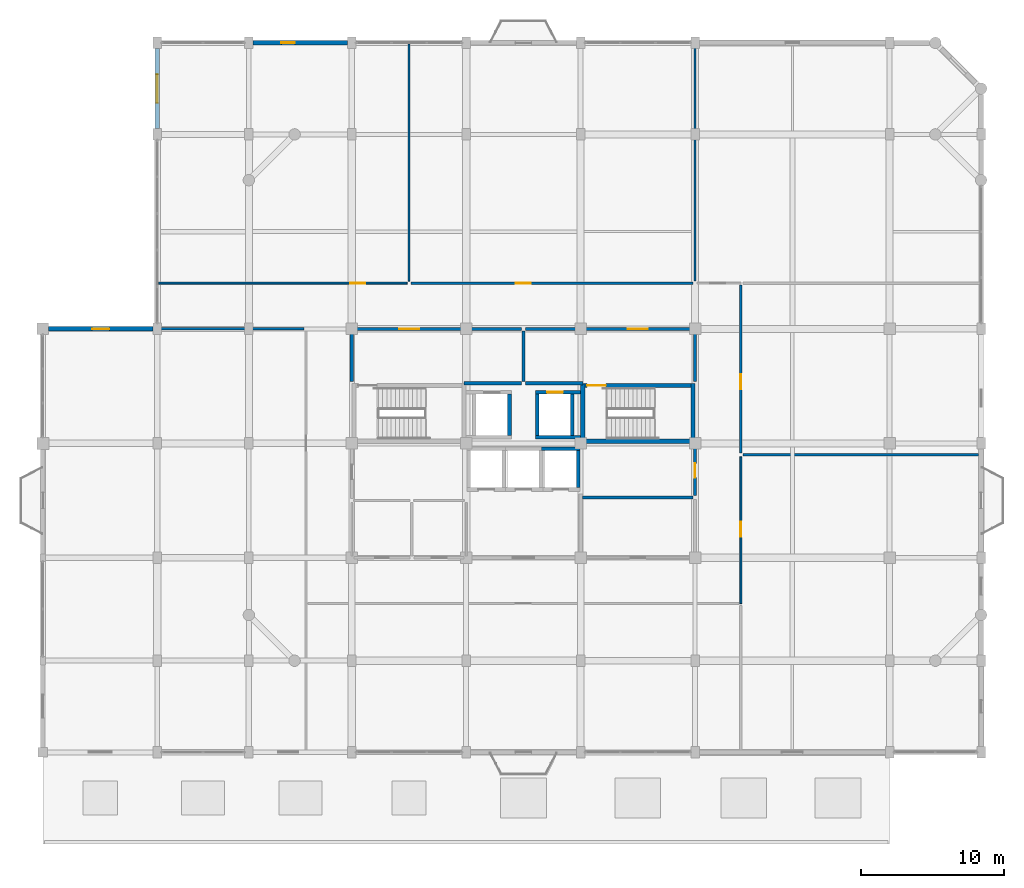
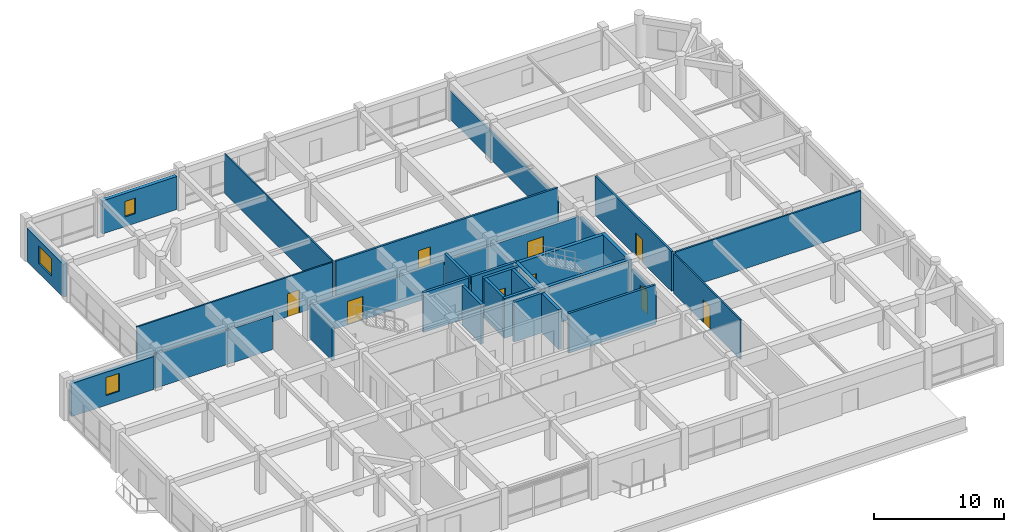
# One storey, part 17 of 20: 31 walls, 9 doors, 3 windows, 12 openings.
"""IFC4 building model written with IfcOpenShell, lengths in metres."""

from ifc_helpers import new_model, si_unit, direction, frame, frame_2d, origin, place, context, subcontext, project, spatial, rectangle, extrude, material, layer, layer_set, type_object, element, fill, save


model = new_model("IFC4")

# Units and contexts
model_context = context("Model", 3, precision=1e-05, world=origin(), true_north=direction((0.0, 1.0)))
body_context = subcontext(model_context, "Body", "Model", "MODEL_VIEW")
ifc_project = project(units=[si_unit("LENGTHUNIT", "METRE"), si_unit("AREAUNIT", "SQUARE_METRE"), si_unit("VOLUMEUNIT", "CUBIC_METRE"), si_unit("PLANEANGLEUNIT", "RADIAN"), si_unit("MASSUNIT", "GRAM", prefix="KILO")], contexts=[model_context])

# Site, building, storey
site_placement = place(None, origin())
site = spatial("IfcSite", under=ifc_project, at=site_placement, CompositionType="ELEMENT")
building_placement = place(site_placement, origin())
building = spatial("IfcBuilding", under=site, at=building_placement, Name="Vellmiral Cinema and Media Centre", CompositionType="ELEMENT")
storey_placement = place(building_placement, frame((0.0, 0.0, 23.800048828125)))
storey = spatial("IfcBuildingStorey", under=building, at=storey_placement, Name="L05", CompositionType="ELEMENT", Elevation=23.800048828125)

# Wall
ifc_material_1 = material(Name="Concrete C40/50", Category="concrete")
ifc_layer_1 = layer(ifc_material_1, 0.2099609375, Name="Concrete C40/50")
ifc_layer_set_1 = layer_set([ifc_layer_1], Name="Concrete C40/50")
wall_type_1 = type_object("IfcWallType", Name="WL-COMP-210", PredefinedType="SOLIDWALL", material=ifc_layer_set_1)
wall_1_placement = place(storey_placement, frame((140.139892578125, 83.39990234375, 0.0), z_axis=(0.0, 0.0, 1.0), x_axis=(1.0, 0.0, 0.0)))
element("IfcWall", 1, at=wall_1_placement, inside=storey, type_object=wall_type_1, Name="Mechanical Smoke Riser Room Wall S", PredefinedType="SOLIDWALL", context=body_context, shape_type="SweptSolid", body=[
    extrude(rectangle(XDim=7.72021484375, YDim=0.2099609375, at=frame_2d((3.860107421875, 0.0))), origin(), (0.0, 0.0, 1.0), 3.719970703125),
])

# Wall, opening, door
wall_2_placement = place(storey_placement, frame((148.0, 83.5400390625, 0.0), z_axis=(0.0, 0.0, 1.0), x_axis=(0.0, 1.0, 0.0)))
wall_2 = element("IfcWall", 2, at=wall_2_placement, inside=storey, type_object=wall_type_1, Name="Mechanical Smoke Riser Room Wall E", PredefinedType="SOLIDWALL", context=body_context, shape_type="SweptSolid", body=[
    extrude(rectangle(XDim=3.52001953125, YDim=0.2099609375, at=frame_2d((1.760009765625, 0.0))), origin(), (0.0, 0.0, 1.0), 2.89501953125),
])
opening_1_placement = place(wall_2_placement, frame((1.260009765625, 0.0, 0.0)))
opening_1 = element("IfcOpeningElement", 3, at=opening_1_placement, cuts=wall_2, Name="Opening D-FD30B", PredefinedType="OPENING", context=body_context, shape_type="SweptSolid", body=[
    extrude(rectangle(XDim=1.0, YDim=2.14990234375, at=frame_2d((0.5, 1.074951171875))), frame((0.0, 0.116943359375, 0.0), z_axis=(0.0, -1.0, 0.0), x_axis=(1.0, 0.0, 0.0)), (0.0, 0.0, 1.0), 0.23388671875),
])
ifc_material_2 = material(Name="Steel Riser Fire Door", Category="steel")
door_type_1 = type_object("IfcDoorType", Name="DR-FD30-1000x2150", OperationType="NOTDEFINED", PredefinedType="DOOR", material=ifc_material_2)
door_1_placement = place(opening_1_placement, origin())
door_1 = element("IfcDoor", 4, at=door_1_placement, inside=storey, type_object=door_type_1, Name="Mechanical Smoke Riser Room Door", OperationType="SINGLE_SWING_LEFT", OverallHeight=2.14990234375, OverallWidth=1.0, PredefinedType="DOOR", context=body_context, shape_type="SweptSolid", body=[
    extrude(rectangle(XDim=1.0, YDim=2.14990234375, at=frame_2d((0.5, 1.074951171875))), frame((0.0, 0.02490234375, 0.0), z_axis=(0.0, -1.0, 0.0), x_axis=(1.0, 0.0, 0.0)), (0.0, 0.0, 1.0), 0.050048828125),
])
fill(opening_1, door_1)

# Walls
ifc_material_3 = material(Name="Concrete C40/50", Category="concrete")
ifc_layer_2 = layer(ifc_material_3, 0.300048828125, Name="Concrete C40/50")
ifc_layer_set_2 = layer_set([ifc_layer_2], Name="Concrete C40/50")
wall_type_2 = type_object("IfcWallType", Name="WL-CORE-300", PredefinedType="SHEAR", material=ifc_layer_set_2)
for number, where, z_axis, x_axis, name in (
    (5, (140.14990234375, 87.199951171875, 0.0), (0.0, 0.0, 1.0), (0.0, 1.0, 0.0), "Stair Core Wall ST-T2 L05-W"),
    (6, (147.85009765625, 87.199951171875, 0.0), (0.0, 0.0, 1.0), (0.0, 1.0, 0.0), "Stair Core Wall ST-T2 L05-E"),
):
    element("IfcWall", number, at=place(storey_placement, frame(where, z_axis=z_axis, x_axis=x_axis)), inside=storey, type_object=wall_type_2, Name=name, PredefinedType="SHEAR", context=body_context, shape_type="SweptSolid", body=[
        extrude(rectangle(XDim=4.199951171875, YDim=0.300048828125, at=frame_2d((2.10009765625, 0.0))), origin(), (0.0, 0.0, 1.0), 3.719970703125),
    ])
wall_3_placement = place(storey_placement, frame((140.300048828125, 87.35009765625, 0.0), z_axis=(0.0, 0.0, 1.0), x_axis=(1.0, 0.0, 0.0)))
element("IfcWall", 7, at=wall_3_placement, inside=storey, type_object=wall_type_2, Name="Stair Core Wall ST-T2 L05-S", PredefinedType="SHEAR", context=body_context, shape_type="SweptSolid", body=[
    extrude(rectangle(XDim=7.39990234375, YDim=0.300048828125, at=frame_2d((3.699951171875, 0.0))), origin(), (0.0, 0.0, 1.0), 3.719970703125),
])

# Wall, opening, door
wall_4_placement = place(storey_placement, frame((140.300048828125, 91.25, 0.0), z_axis=(0.0, 0.0, 1.0), x_axis=(1.0, 0.0, 0.0)))
wall_4 = element("IfcWall", 8, at=wall_4_placement, inside=storey, type_object=wall_type_2, Name="Stair Core Wall ST-T2 L05-N", PredefinedType="SHEAR", context=body_context, shape_type="SweptSolid", body=[
    extrude(rectangle(XDim=7.39990234375, YDim=0.300048828125, at=frame_2d((3.699951171875, 0.0))), origin(), (0.0, 0.0, 1.0), 3.719970703125),
])
opening_2_placement = place(wall_4_placement, frame((0.159912109375, 0.0, 0.0)))
opening_2 = element("IfcOpeningElement", 9, at=opening_2_placement, cuts=wall_4, Name="Opening D-FD30A", PredefinedType="OPENING", context=body_context, shape_type="SweptSolid", body=[
    extrude(rectangle(XDim=1.300048828125, YDim=2.179931640625, at=frame_2d((0.64990234375, 1.08984375))), frame((0.0, 0.162109375, 0.0), z_axis=(0.0, -1.0, 0.0), x_axis=(1.0, 0.0, 0.0)), (0.0, 0.0, 1.0), 0.323974609375),
])
ifc_material_4 = material(Name="Steel Stair Fire Door", Category="steel")
door_type_2 = type_object("IfcDoorType", Name="DR-FD30-1300x2180", OperationType="NOTDEFINED", PredefinedType="DOOR", material=ifc_material_4)
door_2_placement = place(opening_2_placement, frame((1.300048828125, 0.0, 0.0), z_axis=(0.0, 0.0, 1.0), x_axis=(-1.0, 0.0, 0.0)))
door_2 = element("IfcDoor", 10, at=door_2_placement, inside=storey, type_object=door_type_2, Name="Protected Stair Door ST-T2 L05", OperationType="SINGLE_SWING_RIGHT", OverallHeight=2.179931640625, OverallWidth=1.300048828125, PredefinedType="DOOR", context=body_context, shape_type="SweptSolid", body=[
    extrude(rectangle(XDim=1.300048828125, YDim=2.179931640625, at=frame_2d((0.64990234375, 1.08984375))), frame((0.0, 0.02490234375, 0.0), z_axis=(0.0, -1.0, 0.0), x_axis=(1.0, 0.0, 0.0)), (0.0, 0.0, 1.0), 0.050048828125),
])
fill(opening_2, door_2)

# Wall, opening, window
ifc_material_5 = material(Name="Polychrome Glazed Ceramic Cladding", Category="masonry")
ifc_layer_3 = layer(ifc_material_5, 0.320068359375, Name="Polychrome Glazed Ceramic Cladding")
ifc_layer_set_3 = layer_set([ifc_layer_3], Name="Polychrome Glazed Ceramic Cladding")
wall_type_3 = type_object("IfcWallType", Name="WL-EXT-BRICK-320", PredefinedType="SOLIDWALL", material=ifc_layer_set_3)
wall_5_placement = place(storey_placement, frame((123.699951171875, 115.199951171875, 0.0), z_axis=(0.0, 0.0, 1.0), x_axis=(-1.0, 0.0, 0.0)))
wall_5 = element("IfcWall", 11, at=wall_5_placement, inside=storey, type_object=wall_type_3, Name="Exterior Facade Wall L05-023", PredefinedType="SOLIDWALL", context=body_context, shape_type="SweptSolid", body=[
    extrude(rectangle(XDim=6.599853515625, YDim=0.320068359375, at=frame_2d((3.2998046875, 0.0))), origin(), (0.0, 0.0, 1.0), 3.099853515625),
])
opening_3_placement = place(wall_5_placement, frame((3.675048828125, 0.0, 0.89990234375)))
opening_3 = element("IfcOpeningElement", 12, at=opening_3_placement, cuts=wall_5, Name="Opening WN-12", PredefinedType="OPENING", context=body_context, shape_type="SweptSolid", body=[
    extrude(rectangle(XDim=0.949951171875, YDim=1.449951171875, at=frame_2d((0.47509765625, 0.72509765625))), frame((0.0, 0.171875, 0.0), z_axis=(0.0, -1.0, 0.0), x_axis=(1.0, 0.0, 0.0)), (0.0, 0.0, 1.0), 0.343994140625),
])
ifc_material_6 = material(Name="Thermally Broken Aluminium Triple Glazing", Category="aluminium")
window_type_1 = type_object("IfcWindowType", Name="WN-0950x1450", PartitioningType="SINGLE_PANEL", PredefinedType="WINDOW", material=ifc_material_6)
window_1_placement = place(opening_3_placement, origin())
window_1 = element("IfcWindow", 13, at=window_1_placement, inside=storey, type_object=window_type_1, Name="Window L05-023", OverallHeight=1.449951171875, OverallWidth=0.949951171875, PartitioningType="SINGLE_PANEL", PredefinedType="WINDOW", context=body_context, shape_type="SweptSolid", body=[
    extrude(rectangle(XDim=0.949951171875, YDim=1.449951171875, at=frame_2d((0.47509765625, 0.72509765625))), frame((0.0, 0.030029296875, 0.0), z_axis=(0.0, -1.0, 0.0), x_axis=(1.0, 0.0, 0.0)), (0.0, 0.0, 1.0), 0.06005859375),
])
fill(opening_3, window_1)

wall_6_placement = place(storey_placement, frame((110.39990234375, 114.800048828125, 0.0), z_axis=(0.0, 0.0, 1.0), x_axis=(0.0, -1.0, 0.0)))
wall_6 = element("IfcWall", 14, at=wall_6_placement, inside=storey, type_object=wall_type_3, Name="Exterior Facade Wall L05-025", PredefinedType="SOLIDWALL", context=body_context, shape_type="SweptSolid", body=[
    extrude(rectangle(XDim=5.60009765625, YDim=0.320068359375, at=frame_2d((2.800048828125, 0.0))), origin(), (0.0, 0.0, 1.0), 3.099853515625),
])
opening_4_placement = place(wall_6_placement, frame((1.800048828125, 0.0, 0.89990234375)))
opening_4 = element("IfcOpeningElement", 15, at=opening_4_placement, cuts=wall_6, Name="Opening WN-14", PredefinedType="OPENING", context=body_context, shape_type="SweptSolid", body=[
    extrude(rectangle(XDim=2.0, YDim=1.64990234375, at=frame_2d((1.0, 0.824951171875))), frame((0.0, 0.171875, 0.0), z_axis=(0.0, -1.0, 0.0), x_axis=(1.0, 0.0, 0.0)), (0.0, 0.0, 1.0), 0.343994140625),
])
ifc_material_7 = material(Name="Thermally Broken Aluminium Triple Glazing", Category="aluminium")
window_type_2 = type_object("IfcWindowType", Name="WN-2000x1650", PartitioningType="DOUBLE_PANEL_HORIZONTAL", PredefinedType="WINDOW", material=ifc_material_7)
window_2_placement = place(opening_4_placement, origin())
window_2 = element("IfcWindow", 16, at=window_2_placement, inside=storey, type_object=window_type_2, Name="Window L05-025", OverallHeight=1.64990234375, OverallWidth=2.0, PartitioningType="DOUBLE_PANEL_HORIZONTAL", PredefinedType="WINDOW", context=body_context, shape_type="SweptSolid", body=[
    extrude(rectangle(XDim=2.0, YDim=1.64990234375, at=frame_2d((1.0, 0.824951171875))), frame((0.0, 0.030029296875, 0.0), z_axis=(0.0, -1.0, 0.0), x_axis=(1.0, 0.0, 0.0)), (0.0, 0.0, 1.0), 0.06005859375),
])
fill(opening_4, window_2)

wall_7_placement = place(storey_placement, frame((110.10009765625, 95.199951171875, 0.0), z_axis=(0.0, 0.0, 1.0), x_axis=(-1.0, 0.0, 0.0)))
wall_7 = element("IfcWall", 17, at=wall_7_placement, inside=storey, type_object=wall_type_3, Name="Exterior Facade Wall L05-027", PredefinedType="SOLIDWALL", context=body_context, shape_type="SweptSolid", body=[
    extrude(rectangle(XDim=7.300048828125, YDim=0.320068359375, at=frame_2d((3.64990234375, 0.0))), origin(), (0.0, 0.0, 1.0), 3.099853515625),
])
opening_5_placement = place(wall_7_placement, frame((3.050048828125, 0.0, 0.89990234375)))
opening_5 = element("IfcOpeningElement", 18, at=opening_5_placement, cuts=wall_7, Name="Opening WN-10", PredefinedType="OPENING", context=body_context, shape_type="SweptSolid", body=[
    extrude(rectangle(XDim=1.199951171875, YDim=1.699951171875, at=frame_2d((0.60009765625, 0.85009765625))), frame((0.0, 0.171875, 0.0), z_axis=(0.0, -1.0, 0.0), x_axis=(1.0, 0.0, 0.0)), (0.0, 0.0, 1.0), 0.343994140625),
])
ifc_material_8 = material(Name="Thermally Broken Aluminium Triple Glazing", Category="aluminium")
window_type_3 = type_object("IfcWindowType", Name="WN-1200x1700", PartitioningType="SINGLE_PANEL", PredefinedType="WINDOW", material=ifc_material_8)
window_3_placement = place(opening_5_placement, origin())
window_3 = element("IfcWindow", 19, at=window_3_placement, inside=storey, type_object=window_type_3, Name="Window L05-027", OverallHeight=1.699951171875, OverallWidth=1.199951171875, PartitioningType="SINGLE_PANEL", PredefinedType="WINDOW", context=body_context, shape_type="SweptSolid", body=[
    extrude(rectangle(XDim=1.199951171875, YDim=1.699951171875, at=frame_2d((0.60009765625, 0.85009765625))), frame((0.0, 0.030029296875, 0.0), z_axis=(0.0, -1.0, 0.0), x_axis=(1.0, 0.0, 0.0)), (0.0, 0.0, 1.0), 0.06005859375),
])
fill(opening_5, window_3)

# Wall
ifc_material_9 = material(Name="Concrete C40/50", Category="concrete")
ifc_layer_4 = layer(ifc_material_9, 0.22998046875, Name="Concrete C40/50")
ifc_layer_set_4 = layer_set([ifc_layer_4], Name="Concrete C40/50")
wall_type_4 = type_object("IfcWallType", Name="WL-FFL-230", PredefinedType="SOLIDWALL", material=ifc_layer_set_4)
wall_8_placement = place(storey_placement, frame((131.840087890625, 91.39990234375, 0.0), z_axis=(0.0, 0.0, 1.0), x_axis=(1.0, 0.0, 0.0)))
element("IfcWall", 20, at=wall_8_placement, inside=storey, type_object=wall_type_4, Name="Firefighting Lobby West Wall S", PredefinedType="SOLIDWALL", context=body_context, shape_type="SweptSolid", body=[
    extrude(rectangle(XDim=4.02001953125, YDim=0.22998046875, at=frame_2d((2.010009765625, 0.0))), origin(), (0.0, 0.0, 1.0), 3.719970703125),
])

# Wall, opening, door
wall_9_placement = place(storey_placement, frame((124.139892578125, 95.199951171875, 0.0), z_axis=(0.0, 0.0, 1.0), x_axis=(1.0, 0.0, 0.0)))
wall_9 = element("IfcWall", 21, at=wall_9_placement, inside=storey, type_object=wall_type_4, Name="Firefighting Lobby West Wall N", PredefinedType="SOLIDWALL", context=body_context, shape_type="SweptSolid", body=[
    extrude(rectangle(XDim=11.72021484375, YDim=0.22998046875, at=frame_2d((5.860107421875, 0.0))), origin(), (0.0, 0.0, 1.0), 2.945068359375),
])
opening_6_placement = place(wall_9_placement, frame((3.159912109375, 0.0, 0.0)))
opening_6 = element("IfcOpeningElement", 22, at=opening_6_placement, cuts=wall_9, Name="Opening D-FD60B", PredefinedType="OPENING", context=body_context, shape_type="SweptSolid", body=[
    extrude(rectangle(XDim=1.39990234375, YDim=2.199951171875, at=frame_2d((0.699951171875, 1.10009765625))), frame((0.0, 0.126953125, 0.0), z_axis=(0.0, -1.0, 0.0), x_axis=(1.0, 0.0, 0.0)), (0.0, 0.0, 1.0), 0.25390625),
])
ifc_material_10 = material(Name="Steel Fire Door", Category="steel")
door_type_3 = type_object("IfcDoorType", Name="DR-FD60-1400x2200", OperationType="NOTDEFINED", PredefinedType="DOOR", material=ifc_material_10)
door_3_placement = place(opening_6_placement, frame((1.39990234375, 0.0, 0.0), z_axis=(0.0, 0.0, 1.0), x_axis=(-1.0, 0.0, 0.0)))
door_3 = element("IfcDoor", 23, at=door_3_placement, inside=storey, type_object=door_type_3, Name="Firefighting Lobby West Door", OperationType="SINGLE_SWING_RIGHT", OverallHeight=2.199951171875, OverallWidth=1.39990234375, PredefinedType="DOOR", context=body_context, shape_type="SweptSolid", body=[
    extrude(rectangle(XDim=1.39990234375, YDim=2.199951171875, at=frame_2d((0.699951171875, 1.10009765625))), frame((0.0, 0.02490234375, 0.0), z_axis=(0.0, -1.0, 0.0), x_axis=(1.0, 0.0, 0.0)), (0.0, 0.0, 1.0), 0.050048828125),
])
fill(opening_6, door_3)

# Walls
wall_10_placement = place(storey_placement, frame((124.0, 91.5400390625, 0.0), z_axis=(0.0, 0.0, 1.0), x_axis=(0.0, 1.0, 0.0)))
element("IfcWall", 24, at=wall_10_placement, inside=storey, type_object=wall_type_4, Name="Firefighting Lobby West Wall W", PredefinedType="SOLIDWALL", context=body_context, shape_type="SweptSolid", body=[
    extrude(rectangle(XDim=3.52001953125, YDim=0.22998046875, at=frame_2d((1.760009765625, 0.0))), origin(), (0.0, 0.0, 1.0), 3.094970703125),
])
wall_11_placement = place(storey_placement, frame((136.0, 91.5400390625, 0.0), z_axis=(0.0, 0.0, 1.0), x_axis=(0.0, 1.0, 0.0)))
element("IfcWall", 25, at=wall_11_placement, inside=storey, type_object=wall_type_4, Name="Firefighting Lobby West Wall E", PredefinedType="SOLIDWALL", context=body_context, shape_type="SweptSolid", body=[
    extrude(rectangle(XDim=3.52001953125, YDim=0.22998046875, at=frame_2d((1.760009765625, 0.0))), origin(), (0.0, 0.0, 1.0), 3.719970703125),
])
wall_12_placement = place(storey_placement, frame((136.139892578125, 91.39990234375, 0.0), z_axis=(0.0, 0.0, 1.0), x_axis=(1.0, 0.0, 0.0)))
element("IfcWall", 26, at=wall_12_placement, inside=storey, type_object=wall_type_4, Name="Firefighting Lobby East Wall S", PredefinedType="SOLIDWALL", context=body_context, shape_type="SweptSolid", body=[
    extrude(rectangle(XDim=4.02001953125, YDim=0.22998046875, at=frame_2d((2.010009765625, 0.0))), origin(), (0.0, 0.0, 1.0), 3.719970703125),
])

# Wall, opening, door
wall_13_placement = place(storey_placement, frame((136.139892578125, 95.199951171875, 0.0), z_axis=(0.0, 0.0, 1.0), x_axis=(1.0, 0.0, 0.0)))
wall_13 = element("IfcWall", 27, at=wall_13_placement, inside=storey, type_object=wall_type_4, Name="Firefighting Lobby East Wall N", PredefinedType="SOLIDWALL", context=body_context, shape_type="SweptSolid", body=[
    extrude(rectangle(XDim=11.72021484375, YDim=0.22998046875, at=frame_2d((5.860107421875, 0.0))), origin(), (0.0, 0.0, 1.0), 2.994873046875),
])
opening_7_placement = place(wall_13_placement, frame((7.159912109375, 0.0, 0.0)))
opening_7 = element("IfcOpeningElement", 28, at=opening_7_placement, cuts=wall_13, Name="Opening D-FD60B", PredefinedType="OPENING", context=body_context, shape_type="SweptSolid", body=[
    extrude(rectangle(XDim=1.39990234375, YDim=2.199951171875, at=frame_2d((0.699951171875, 1.10009765625))), frame((0.0, 0.126953125, 0.0), z_axis=(0.0, -1.0, 0.0), x_axis=(1.0, 0.0, 0.0)), (0.0, 0.0, 1.0), 0.25390625),
])
door_4_placement = place(opening_7_placement, frame((1.39990234375, 0.0, 0.0), z_axis=(0.0, 0.0, 1.0), x_axis=(-1.0, 0.0, 0.0)))
door_4 = element("IfcDoor", 29, at=door_4_placement, inside=storey, type_object=door_type_3, Name="Firefighting Lobby East Door", OperationType="SINGLE_SWING_LEFT", OverallHeight=2.199951171875, OverallWidth=1.39990234375, PredefinedType="DOOR", context=body_context, shape_type="SweptSolid", body=[
    extrude(rectangle(XDim=1.39990234375, YDim=2.199951171875, at=frame_2d((0.699951171875, 1.10009765625))), frame((0.0, 0.02490234375, 0.0), z_axis=(0.0, -1.0, 0.0), x_axis=(1.0, 0.0, 0.0)), (0.0, 0.0, 1.0), 0.050048828125),
])
fill(opening_7, door_4)

# Walls
wall_14_placement = place(storey_placement, frame((148.0, 91.5400390625, 0.0), z_axis=(0.0, 0.0, 1.0), x_axis=(0.0, 1.0, 0.0)))
element("IfcWall", 30, at=wall_14_placement, inside=storey, type_object=wall_type_4, Name="Firefighting Lobby East Wall E", PredefinedType="SOLIDWALL", context=body_context, shape_type="SweptSolid", body=[
    extrude(rectangle(XDim=3.52001953125, YDim=0.22998046875, at=frame_2d((1.760009765625, 0.0))), origin(), (0.0, 0.0, 1.0), 2.945068359375),
])
ifc_material_11 = material(Name="Gypsum Plasterboard")
ifc_layer_5 = layer(ifc_material_11, 0.02490234375, Name="Gypsum Plasterboard", Category="gypsum")
ifc_material_12 = material(Name="Mineral Wool Acoustic Insulation", Category="insulation")
ifc_layer_6 = layer(ifc_material_12, 0.06005859375, Name="Mineral Wool Acoustic Insulation", Category="insulation")
ifc_layer_7 = layer(ifc_material_11, 0.02490234375, Name="Gypsum Plasterboard", Category="gypsum")
ifc_layer_set_5 = layer_set([ifc_layer_5, ifc_layer_6, ifc_layer_7], Name="Gypsum Plasterboard")
wall_type_5 = type_object("IfcWallType", Name="WL-PART-110", PredefinedType="PARTITIONING", material=ifc_layer_set_5)
wall_15_placement = place(storey_placement, frame((128.0, 98.5400390625, 0.0), z_axis=(0.0, 0.0, 1.0), x_axis=(0.0, 1.0, 0.0)))
element("IfcWall", 31, at=wall_15_placement, inside=storey, type_object=wall_type_5, Name="North-West Editorial Office Wall E", PredefinedType="PARTITIONING", context=body_context, shape_type="SweptSolid", body=[
    extrude(rectangle(XDim=16.56494140625, YDim=0.110107421875, at=frame_2d((8.282470703125, 0.0))), origin(), (0.0, 0.0, 1.0), 3.719970703125),
])

# Wall, opening, door
ifc_material_13 = material(Name="Gypsum Plasterboard")
ifc_layer_8 = layer(ifc_material_13, 0.02490234375, Name="Gypsum Plasterboard", Category="gypsum")
ifc_material_14 = material(Name="Mineral Wool Acoustic Insulation", Category="insulation")
ifc_layer_9 = layer(ifc_material_14, 0.080078125, Name="Mineral Wool Acoustic Insulation", Category="insulation")
ifc_layer_10 = layer(ifc_material_13, 0.02490234375, Name="Gypsum Plasterboard", Category="gypsum")
ifc_layer_set_6 = layer_set([ifc_layer_8, ifc_layer_9, ifc_layer_10], Name="Gypsum Plasterboard")
wall_type_6 = type_object("IfcWallType", Name="WL-PART-130", PredefinedType="PARTITIONING", material=ifc_layer_set_6)
wall_16_placement = place(storey_placement, frame((151.199951171875, 76.0, 0.0), z_axis=(0.0, 0.0, 1.0), x_axis=(0.0, 1.0, 0.0)))
wall_16 = element("IfcWall", 32, at=wall_16_placement, inside=storey, type_object=wall_type_6, Name="South-East News Conference Room Wall W", PredefinedType="PARTITIONING", context=body_context, shape_type="SweptSolid", body=[
    extrude(rectangle(XDim=10.260009765625, YDim=0.1298828125, at=frame_2d((5.1298828125, 0.0))), origin(), (0.0, 0.0, 1.0), 3.719970703125),
])
opening_8_placement = place(wall_16_placement, frame((4.675048828125, 0.0, 0.0)))
opening_8 = element("IfcOpeningElement", 33, at=opening_8_placement, cuts=wall_16, Name="Opening D-I07", PredefinedType="OPENING", context=body_context, shape_type="SweptSolid", body=[
    extrude(rectangle(XDim=1.050048828125, YDim=2.14990234375, at=frame_2d((0.52490234375, 1.074951171875))), frame((0.0, 0.076904296875, 0.0), z_axis=(0.0, -1.0, 0.0), x_axis=(1.0, 0.0, 0.0)), (0.0, 0.0, 1.0), 0.15380859375),
])
ifc_material_15 = material(Name="Laminated Timber Door", Category="wood")
door_type_4 = type_object("IfcDoorType", Name="DR-INT-1050x2150", OperationType="NOTDEFINED", PredefinedType="DOOR", material=ifc_material_15)
door_5_placement = place(opening_8_placement, frame((1.050048828125, 0.0, 0.0), z_axis=(0.0, 0.0, 1.0), x_axis=(-1.0, 0.0, 0.0)))
door_5 = element("IfcDoor", 34, at=door_5_placement, inside=storey, type_object=door_type_4, Name="South-East News Conference Room Door", OperationType="SINGLE_SWING_LEFT", OverallHeight=2.14990234375, OverallWidth=1.050048828125, PredefinedType="DOOR", context=body_context, shape_type="SweptSolid", body=[
    extrude(rectangle(XDim=1.050048828125, YDim=2.14990234375, at=frame_2d((0.52490234375, 1.074951171875))), frame((0.0, 0.02490234375, 0.0), z_axis=(0.0, -1.0, 0.0), x_axis=(1.0, 0.0, 0.0)), (0.0, 0.0, 1.0), 0.050048828125),
])
fill(opening_8, door_5)

wall_17_placement = place(storey_placement, frame((110.4951171875, 98.39990234375, 0.0), z_axis=(0.0, 0.0, 1.0), x_axis=(1.0, 0.0, 0.0)))
wall_17 = element("IfcWall", 35, at=wall_17_placement, inside=storey, type_object=wall_type_6, Name="North-West Editorial Office Wall S", PredefinedType="PARTITIONING", context=body_context, shape_type="SweptSolid", body=[
    extrude(rectangle(XDim=17.364990234375, YDim=0.1298828125, at=frame_2d((8.6826171875, 0.0))), origin(), (0.0, 0.0, 1.0), 3.719970703125),
])
opening_9_placement = place(wall_17_placement, frame((13.3798828125, 0.0, 0.0)))
opening_9 = element("IfcOpeningElement", 36, at=opening_9_placement, cuts=wall_17, Name="Opening D-I07", PredefinedType="OPENING", context=body_context, shape_type="SweptSolid", body=[
    extrude(rectangle(XDim=1.050048828125, YDim=2.14990234375, at=frame_2d((0.52490234375, 1.074951171875))), frame((0.0, 0.076904296875, 0.0), z_axis=(0.0, -1.0, 0.0), x_axis=(1.0, 0.0, 0.0)), (0.0, 0.0, 1.0), 0.15380859375),
])
door_6_placement = place(opening_9_placement, origin())
door_6 = element("IfcDoor", 37, at=door_6_placement, inside=storey, type_object=door_type_4, Name="North-West Editorial Office Door", OperationType="SINGLE_SWING_RIGHT", OverallHeight=2.14990234375, OverallWidth=1.050048828125, PredefinedType="DOOR", context=body_context, shape_type="SweptSolid", body=[
    extrude(rectangle(XDim=1.050048828125, YDim=2.14990234375, at=frame_2d((0.52490234375, 1.074951171875))), frame((0.0, 0.02490234375, 0.0), z_axis=(0.0, -1.0, 0.0), x_axis=(1.0, 0.0, 0.0)), (0.0, 0.0, 1.0), 0.050048828125),
])
fill(opening_9, door_6)

# Walls
ifc_material_16 = material(Name="Gypsum Plasterboard")
ifc_layer_11 = layer(ifc_material_16, 0.02490234375, Name="Gypsum Plasterboard", Category="gypsum")
ifc_material_17 = material(Name="Mineral Wool Acoustic Insulation", Category="insulation")
ifc_layer_12 = layer(ifc_material_17, 0.10009765625, Name="Mineral Wool Acoustic Insulation", Category="insulation")
ifc_layer_13 = layer(ifc_material_16, 0.02490234375, Name="Gypsum Plasterboard", Category="gypsum")
ifc_layer_set_7 = layer_set([ifc_layer_11, ifc_layer_12, ifc_layer_13], Name="Gypsum Plasterboard")
wall_type_7 = type_object("IfcWallType", Name="WL-PART-150", PredefinedType="PARTITIONING", material=ifc_layer_set_7)
wall_18_placement = place(storey_placement, frame((151.340087890625, 86.39990234375, 0.0), z_axis=(0.0, 0.0, 1.0), x_axis=(1.0, 0.0, 0.0)))
element("IfcWall", 38, at=wall_18_placement, inside=storey, type_object=wall_type_7, Name="South-East News Conference Room Wall N", PredefinedType="PARTITIONING", context=body_context, shape_type="SweptSolid", body=[
    extrude(rectangle(XDim=16.474853515625, YDim=0.14990234375, at=frame_2d((8.2373046875, 0.0))), origin(), (0.0, 0.0, 1.0), 3.719970703125),
])
wall_19_placement = place(storey_placement, frame((148.0, 98.5400390625, 0.0), z_axis=(0.0, 0.0, 1.0), x_axis=(0.0, 1.0, 0.0)))
element("IfcWall", 39, at=wall_19_placement, inside=storey, type_object=wall_type_7, Name="North News Desk Suite Wall E", PredefinedType="PARTITIONING", context=body_context, shape_type="SweptSolid", body=[
    extrude(rectangle(XDim=16.48486328125, YDim=0.14990234375, at=frame_2d((8.242431640625, 0.0))), origin(), (0.0, 0.0, 1.0), 2.64501953125),
])
ifc_material_18 = material(Name="Gypsum Plasterboard")
ifc_layer_14 = layer(ifc_material_18, 0.02490234375, Name="Gypsum Plasterboard", Category="gypsum")
ifc_material_19 = material(Name="Mineral Wool Acoustic Insulation", Category="insulation")
ifc_layer_15 = layer(ifc_material_19, 0.1201171875, Name="Mineral Wool Acoustic Insulation", Category="insulation")
ifc_layer_16 = layer(ifc_material_18, 0.02490234375, Name="Gypsum Plasterboard", Category="gypsum")
ifc_layer_set_8 = layer_set([ifc_layer_14, ifc_layer_15, ifc_layer_16], Name="Gypsum Plasterboard")
wall_type_8 = type_object("IfcWallType", Name="WL-PART-170", PredefinedType="PARTITIONING", material=ifc_layer_set_8)
wall_20_placement = place(storey_placement, frame((110.239990234375, 95.199951171875, 0.0), z_axis=(0.0, 0.0, 1.0), x_axis=(1.0, 0.0, 0.0)))
element("IfcWall", 40, at=wall_20_placement, inside=storey, type_object=wall_type_8, Name="West Bridge Media Lab Wall N", PredefinedType="PARTITIONING", context=body_context, shape_type="SweptSolid", body=[
    extrude(rectangle(XDim=10.419921875, YDim=0.169921875, at=frame_2d((5.2099609375, 0.0))), origin(), (0.0, 0.0, 1.0), 3.195068359375),
])

# Wall, opening, door
wall_21_placement = place(storey_placement, frame((151.199951171875, 86.5400390625, 0.0), z_axis=(0.0, 0.0, 1.0), x_axis=(0.0, 1.0, 0.0)))
wall_21 = element("IfcWall", 41, at=wall_21_placement, inside=storey, type_object=wall_type_8, Name="East Media Editorial Office Wall W", PredefinedType="PARTITIONING", context=body_context, shape_type="SweptSolid", body=[
    extrude(rectangle(XDim=11.719970703125, YDim=0.169921875, at=frame_2d((5.85986328125, 0.0))), origin(), (0.0, 0.0, 1.0), 3.719970703125),
])
opening_10_placement = place(wall_21_placement, frame((4.43505859375, 0.0, 0.0)))
opening_10 = element("IfcOpeningElement", 42, at=opening_10_placement, cuts=wall_21, Name="Opening D-I07", PredefinedType="OPENING", context=body_context, shape_type="SweptSolid", body=[
    extrude(rectangle(XDim=1.050048828125, YDim=2.14990234375, at=frame_2d((0.52490234375, 1.074951171875))), frame((0.0, 0.096923828125, 0.0), z_axis=(0.0, -1.0, 0.0), x_axis=(1.0, 0.0, 0.0)), (0.0, 0.0, 1.0), 0.19384765625),
])
door_7_placement = place(opening_10_placement, frame((1.050048828125, 0.0, 0.0), z_axis=(0.0, 0.0, 1.0), x_axis=(-1.0, 0.0, 0.0)))
door_7 = element("IfcDoor", 43, at=door_7_placement, inside=storey, type_object=door_type_4, Name="East Media Editorial Office Door", OperationType="SINGLE_SWING_RIGHT", OverallHeight=2.14990234375, OverallWidth=1.050048828125, PredefinedType="DOOR", context=body_context, shape_type="SweptSolid", body=[
    extrude(rectangle(XDim=1.050048828125, YDim=2.14990234375, at=frame_2d((0.52490234375, 1.074951171875))), frame((0.0, 0.02490234375, 0.0), z_axis=(0.0, -1.0, 0.0), x_axis=(1.0, 0.0, 0.0)), (0.0, 0.0, 1.0), 0.050048828125),
])
fill(opening_10, door_7)

wall_22_placement = place(storey_placement, frame((128.139892578125, 98.39990234375, 0.0), z_axis=(0.0, 0.0, 1.0), x_axis=(1.0, 0.0, 0.0)))
wall_22 = element("IfcWall", 44, at=wall_22_placement, inside=storey, type_object=wall_type_8, Name="North News Desk Suite Wall S", PredefinedType="PARTITIONING", context=body_context, shape_type="SweptSolid", body=[
    extrude(rectangle(XDim=19.72021484375, YDim=0.169921875, at=frame_2d((9.860107421875, 0.0))), origin(), (0.0, 0.0, 1.0), 3.719970703125),
])
opening_11_placement = place(wall_22_placement, frame((7.3349609375, 0.0, 0.0)))
opening_11 = element("IfcOpeningElement", 45, at=opening_11_placement, cuts=wall_22, Name="Opening D-I07", PredefinedType="OPENING", context=body_context, shape_type="SweptSolid", body=[
    extrude(rectangle(XDim=1.050048828125, YDim=2.14990234375, at=frame_2d((0.52490234375, 1.074951171875))), frame((0.0, 0.096923828125, 0.0), z_axis=(0.0, -1.0, 0.0), x_axis=(1.0, 0.0, 0.0)), (0.0, 0.0, 1.0), 0.19384765625),
])
door_8_placement = place(opening_11_placement, origin())
door_8 = element("IfcDoor", 46, at=door_8_placement, inside=storey, type_object=door_type_4, Name="North News Desk Suite Door", OperationType="SINGLE_SWING_LEFT", OverallHeight=2.14990234375, OverallWidth=1.050048828125, PredefinedType="DOOR", context=body_context, shape_type="SweptSolid", body=[
    extrude(rectangle(XDim=1.050048828125, YDim=2.14990234375, at=frame_2d((0.52490234375, 1.074951171875))), frame((0.0, 0.02490234375, 0.0), z_axis=(0.0, -1.0, 0.0), x_axis=(1.0, 0.0, 0.0)), (0.0, 0.0, 1.0), 0.050048828125),
])
fill(opening_11, door_8)

# Walls
ifc_material_20 = material(Name="Concrete C40/50", Category="concrete")
ifc_layer_17 = layer(ifc_material_20, 0.25, Name="Concrete C40/50")
ifc_layer_set_9 = layer_set([ifc_layer_17], Name="Concrete C40/50")
wall_type_9 = type_object("IfcWallType", Name="WL-SHAFT-250", PredefinedType="SHEAR", material=ifc_layer_set_9)
wall_23_placement = place(storey_placement, frame((135.02490234375, 87.75, 0.0), z_axis=(0.0, 0.0, 1.0), x_axis=(0.0, 1.0, 0.0)))
element("IfcWall", 47, at=wall_23_placement, inside=storey, type_object=wall_type_9, Name="Lift Shaft Wall LF-FF1 L05-E", PredefinedType="SHEAR", context=body_context, shape_type="SweptSolid", body=[
    extrude(rectangle(XDim=2.89990234375, YDim=0.25, at=frame_2d((1.449951171875, 0.0))), origin(), (0.0, 0.0, 1.0), 3.719970703125),
])
wall_24_placement = place(storey_placement, frame((136.85009765625, 87.625, 0.0), z_axis=(0.0, 0.0, 1.0), x_axis=(1.0, 0.0, 0.0)))
element("IfcWall", 48, at=wall_24_placement, inside=storey, type_object=wall_type_9, Name="Lift Shaft Wall LF-FF2 L05-S", PredefinedType="SHEAR", context=body_context, shape_type="SweptSolid", body=[
    extrude(rectangle(XDim=3.14990234375, YDim=0.25, at=frame_2d((1.574951171875, 0.0))), origin(), (0.0, 0.0, 1.0), 3.719970703125),
])

# Wall, opening, door
wall_25_placement = place(storey_placement, frame((136.85009765625, 90.77490234375, 0.0), z_axis=(0.0, 0.0, 1.0), x_axis=(1.0, 0.0, 0.0)))
wall_25 = element("IfcWall", 49, at=wall_25_placement, inside=storey, type_object=wall_type_9, Name="Lift Shaft Wall LF-FF2 L05-N", PredefinedType="SHEAR", context=body_context, shape_type="SweptSolid", body=[
    extrude(rectangle(XDim=3.14990234375, YDim=0.25, at=frame_2d((1.574951171875, 0.0))), origin(), (0.0, 0.0, 1.0), 3.719970703125),
])
opening_12_placement = place(wall_25_placement, frame((0.800048828125, 0.0, 0.0)))
opening_12 = element("IfcOpeningElement", 50, at=opening_12_placement, cuts=wall_25, Name="Opening LD-01", PredefinedType="OPENING", context=body_context, shape_type="SweptSolid", body=[
    extrude(rectangle(XDim=1.10009765625, YDim=2.14990234375, at=frame_2d((0.550048828125, 1.074951171875))), frame((0.0, 0.136962890625, 0.0), z_axis=(0.0, -1.0, 0.0), x_axis=(1.0, 0.0, 0.0)), (0.0, 0.0, 1.0), 0.27392578125),
])
ifc_material_21 = material(Name="Stainless Steel Lift Landing Door", Category="steel")
door_type_5 = type_object("IfcDoorType", Name="DR-LIFT-1100x2150", OperationType="SLIDING_TO_LEFT", PredefinedType="DOOR", material=ifc_material_21)
door_9_placement = place(opening_12_placement, origin())
door_9 = element("IfcDoor", 51, at=door_9_placement, inside=storey, type_object=door_type_5, Name="Lift Landing Door LF-FF2 L05", OperationType="SLIDING_TO_LEFT", OverallHeight=2.14990234375, OverallWidth=1.10009765625, PredefinedType="DOOR", context=body_context, shape_type="SweptSolid", body=[
    extrude(rectangle(XDim=1.10009765625, YDim=2.14990234375, at=frame_2d((0.550048828125, 1.074951171875))), frame((0.0, 0.02490234375, 0.0), z_axis=(0.0, -1.0, 0.0), x_axis=(1.0, 0.0, 0.0)), (0.0, 0.0, 1.0), 0.050048828125),
])
fill(opening_12, door_9)

# Walls
for number, where, z_axis, x_axis, name in (
    (52, (136.97509765625, 87.75, 0.0), (0.0, 0.0, 1.0), (0.0, 1.0, 0.0), "Lift Shaft Wall LF-FF2 L05-W"),
    (53, (139.425048828125, 87.75, 0.0), (0.0, 0.0, 1.0), (0.0, 1.0, 0.0), "Lift Shaft Wall LF-FF2 L05-E"),
):
    element("IfcWall", number, at=place(storey_placement, frame(where, z_axis=z_axis, x_axis=x_axis)), inside=storey, type_object=wall_type_9, Name=name, PredefinedType="SHEAR", context=body_context, shape_type="SweptSolid", body=[
        extrude(rectangle(XDim=2.89990234375, YDim=0.25, at=frame_2d((1.449951171875, 0.0))), origin(), (0.0, 0.0, 1.0), 3.719970703125),
    ])
wall_26_placement = place(storey_placement, frame((137.25, 86.824951171875, 0.0), z_axis=(0.0, 0.0, 1.0), x_axis=(1.0, 0.0, 0.0)))
element("IfcWall", 54, at=wall_26_placement, inside=storey, type_object=wall_type_9, Name="Lift Shaft Wall LF-P3 L05-N", PredefinedType="SHEAR", context=body_context, shape_type="SweptSolid", body=[
    extrude(rectangle(XDim=2.699951171875, YDim=0.25, at=frame_2d((1.35009765625, 0.0))), origin(), (0.0, 0.0, 1.0), 3.719970703125),
])
wall_27_placement = place(storey_placement, frame((139.824951171875, 84.10009765625, 0.0), z_axis=(0.0, 0.0, 1.0), x_axis=(0.0, 1.0, 0.0)))
element("IfcWall", 55, at=wall_27_placement, inside=storey, type_object=wall_type_9, Name="Lift Shaft Wall LF-P3 L05-E", PredefinedType="SHEAR", context=body_context, shape_type="SweptSolid", body=[
    extrude(rectangle(XDim=2.599853515625, YDim=0.25, at=frame_2d((1.2998046875, 0.0))), origin(), (0.0, 0.0, 1.0), 3.719970703125),
])

save(model, "model.ifc")
